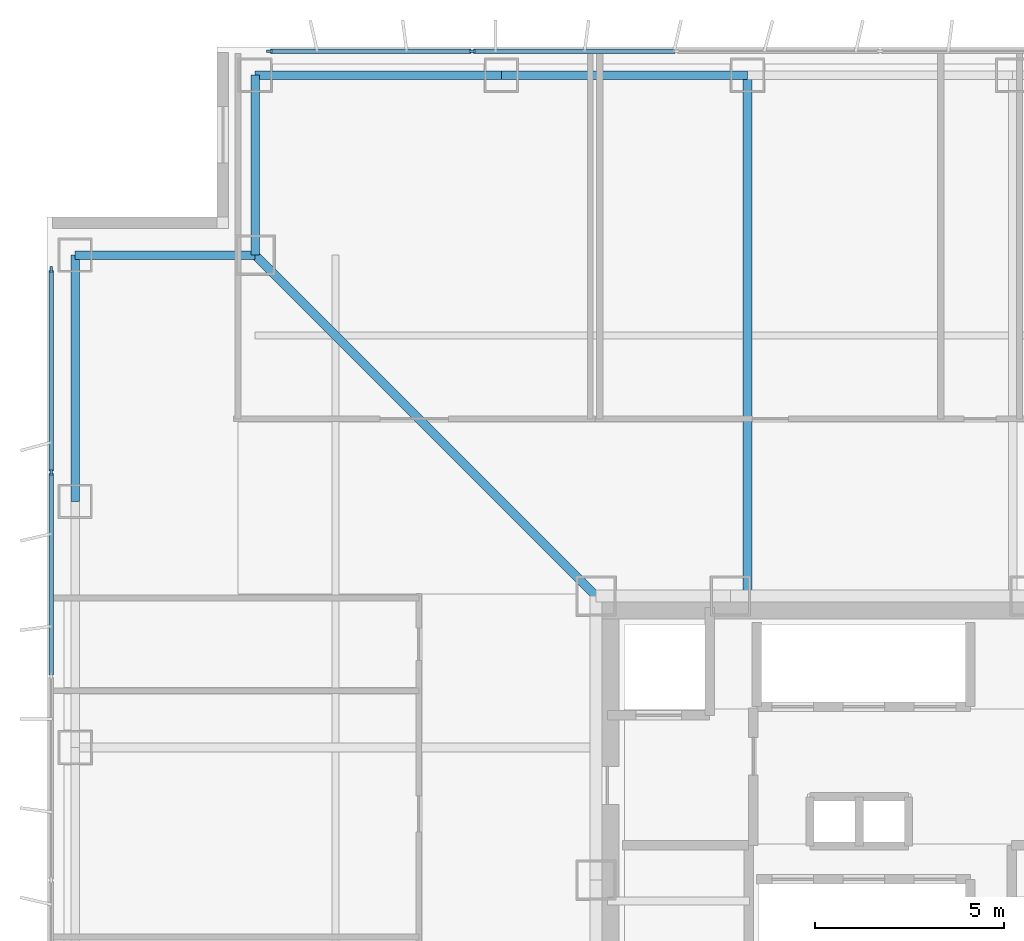
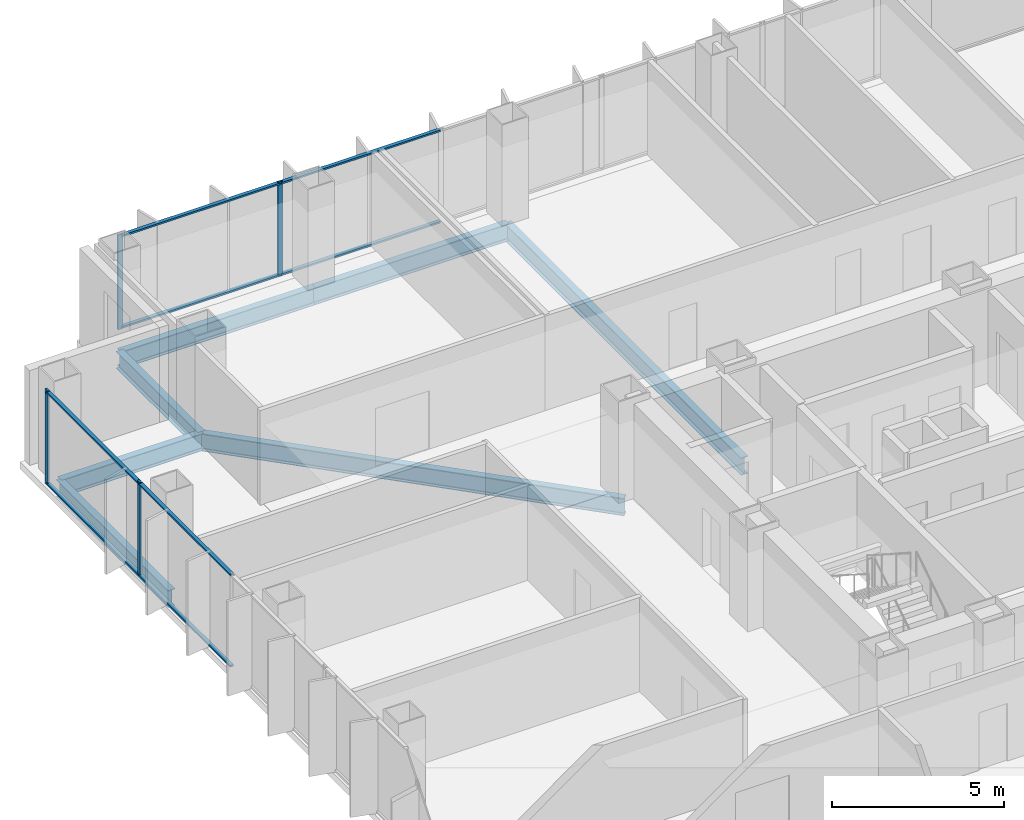
# One storey, part 9 of 18: 12 members, 7 beams, 2 elements without a shape of their own.
"""IFC4 building model written with IfcOpenShell, lengths in metres."""

from ifc_helpers import new_model, si_unit, direction, frame, origin, origin_2d, place, context, subcontext, project, spatial, rectangle, i_section, extrude, material, layer, layer_set, material_profile, profile_set, type_object, element, aggregate, save


model = new_model("IFC4")

# Units and contexts
model_context = context("Model", 3, precision=1e-05, world=origin(), true_north=direction((0.0, 1.0)))
body_context = subcontext(model_context, "Body", "Model", "MODEL_VIEW")
ifc_project = project(units=[si_unit("LENGTHUNIT", "METRE"), si_unit("AREAUNIT", "SQUARE_METRE"), si_unit("VOLUMEUNIT", "CUBIC_METRE"), si_unit("PLANEANGLEUNIT", "RADIAN"), si_unit("MASSUNIT", "GRAM", prefix="KILO")], contexts=[model_context])

# Site, building, storey
site_placement = place(None, origin())
site = spatial("IfcSite", under=ifc_project, at=site_placement, CompositionType="ELEMENT")
building_placement = place(site_placement, origin())
building = spatial("IfcBuilding", under=site, at=building_placement, Name="Trevonay Congress Spire", CompositionType="ELEMENT")
storey_placement = place(building_placement, frame((0.0, 0.0, 104.800048828125)))
storey = spatial("IfcBuildingStorey", under=building, at=storey_placement, Name="L26", CompositionType="ELEMENT", Elevation=104.800048828125)

# Beams
ifc_material_1 = material(Name="Steel ASTM A572 Grade 50", Category="steel")
ifc_material_profile_1 = material_profile(ifc_material_1, i_section(OverallWidth=0.22998046875, OverallDepth=0.616943359375, WebThickness=0.01318359375, FlangeThickness=0.022216796875, FilletRadius=0.01611328125, at=origin_2d()), Name="W610x140")
ifc_profile_set_1 = profile_set([ifc_material_profile_1], Name="Steel ASTM A572 Grade 50")
beam_type_1 = type_object("IfcBeamType", Name="BM-GIRD-W610X140", PredefinedType="BEAM", material=ifc_profile_set_1)
beam_1_placement = place(storey_placement, frame((-7.5, 7.5, -0.548583984375), z_axis=(-0.707106781187, 0.707106781187, 0.0), x_axis=(-0.707106781187, -0.707106781187, 0.0)))
element("IfcBeam", 1, at=beam_1_placement, inside=storey, type_object=beam_type_1, Name="L26 structural beam BM-L26-CDNW", PredefinedType="BEAM", context=body_context, shape_type="SweptSolid", body=[
    extrude(i_section(OverallWidth=0.22998046875, OverallDepth=0.616943359375, WebThickness=0.01318359375, FlangeThickness=0.022216796875, FilletRadius=0.01611328125, at=origin_2d()), origin(), (0.0, 0.0, 1.0), 12.72802734375),
])
beam_2_placement = place(storey_placement, frame((-3.5, 7.5, -0.548583984375), z_axis=(0.0, 1.0, 0.0), x_axis=(-1.0, 0.0, 0.0)))
element("IfcBeam", 2, at=beam_2_placement, inside=storey, type_object=beam_type_1, Name="L26 structural beam BM-L26-GN-M", PredefinedType="BEAM", context=body_context, shape_type="SweptSolid", body=[
    extrude(i_section(OverallWidth=0.22998046875, OverallDepth=0.616943359375, WebThickness=0.01318359375, FlangeThickness=0.022216796875, FilletRadius=0.01611328125, at=origin_2d()), origin(), (0.0, 0.0, 1.0), 13.75),
])
ifc_material_profile_2 = material_profile(ifc_material_1, i_section(OverallWidth=0.22802734375, OverallDepth=0.60791015625, WebThickness=0.01123046875, FlangeThickness=0.017333984375, FilletRadius=0.01611328125, at=origin_2d()), Name="W610x113")
ifc_profile_set_2 = profile_set([ifc_material_profile_2], Name="Steel ASTM A572 Grade 50")
beam_type_2 = type_object("IfcBeamType", Name="BM-RING-W610X113", PredefinedType="BEAM", material=ifc_profile_set_2)
for number, where, z_axis, x_axis, name in (
    (3, (-16.5, 21.25, -0.5439453125), (1.0, 0.0, 0.0), (0.0, 1.0, 0.0), "L26 structural beam BM-L26-PN1"),
    (4, (-10.0, 21.25, -0.5439453125), (1.0, 0.0, 0.0), (0.0, 1.0, 0.0), "L26 structural beam BM-L26-PN2"),
    (5, (-21.25, 10.0, -0.5439453125), (0.0, 1.0, 0.0), (-1.0, 0.0, 0.0), "L26 structural beam BM-L26-PW5"),
):
    element("IfcBeam", number, at=place(storey_placement, frame(where, z_axis=z_axis, x_axis=x_axis)), inside=storey, type_object=beam_type_2, Name=name, PredefinedType="BEAM", context=body_context, shape_type="SweptSolid", body=[
        extrude(i_section(OverallWidth=0.22802734375, OverallDepth=0.60791015625, WebThickness=0.01123046875, FlangeThickness=0.017333984375, FilletRadius=0.01611328125, at=origin_2d()), origin(), (0.0, 0.0, 1.0), 6.5),
    ])
for number, where, z_axis, x_axis, name in (
    (6, (-16.5, 21.25, -0.5439453125), (0.0, -1.0, 0.0), (1.0, 0.0, 0.0), "L26 structural beam BM-L26-N1NW"),
    (7, (-21.25, 16.5, -0.5439453125), (1.0, 0.0, 0.0), (0.0, 1.0, 0.0), "L26 structural beam BM-L26-N2NW"),
):
    element("IfcBeam", number, at=place(storey_placement, frame(where, z_axis=z_axis, x_axis=x_axis)), inside=storey, type_object=beam_type_2, Name=name, PredefinedType="BEAM", context=body_context, shape_type="SweptSolid", body=[
        extrude(i_section(OverallWidth=0.22802734375, OverallDepth=0.60791015625, WebThickness=0.01123046875, FlangeThickness=0.017333984375, FilletRadius=0.01611328125, at=origin_2d()), origin(), (0.0, 0.0, 1.0), 4.75),
    ])

# Curtain wall, members
ifc_material_2 = material(Name="Pale Anodised Aluminium EN AW-6063-T6", Category="aluminium")
ifc_layer = layer(ifc_material_2, 0.175048828125, Name="Pale Anodised Aluminium EN AW-6063-T6")
ifc_layer_set = layer_set([ifc_layer], Name="Pale Anodised Aluminium EN AW-6063-T6")
curtain_wall_type = type_object("IfcCurtainWallType", Name="CW-SYS03-CONGRESS-PALE-METAL", PredefinedType="NOTDEFINED", material=ifc_layer_set)
curtain_wall_1_placement = place(storey_placement, origin())
curtain_wall_1 = element("IfcCurtainWall", 8, at=curtain_wall_1_placement, inside=storey, type_object=curtain_wall_type, Name="L26 N unitised curtain wall", PredefinedType="NOTDEFINED")
ifc_material_profile_3 = material_profile(ifc_material_2, rectangle(XDim=0.06005859375, YDim=0.159912109375, at=origin_2d()), Name="CW-MULLION-160-ALUMINIUM")
ifc_profile_set_3 = profile_set([ifc_material_profile_3], Name="Pale Anodised Aluminium EN AW-6063-T6")
member_type_1 = type_object("IfcMemberType", Name="CW-MULLION-160-ALUMINIUM", PredefinedType="MULLION", material=ifc_profile_set_3)
member_1_placement = place(storey_placement, frame((-16.1201171875, 21.8798828125, 0.0), z_axis=(0.0, 0.0, 1.0), x_axis=(0.0, 1.0, 0.0)))
member_1 = element("IfcMember", 9, at=member_1_placement, type_object=member_type_1, Name="CW03 mullion 1", PredefinedType="MULLION", context=body_context, shape_type="SweptSolid", body=[
    extrude(rectangle(XDim=0.06005859375, YDim=0.159912109375, at=origin_2d()), origin(), (0.0, 0.0, 1.0), 3.35986328125),
])
member_2_placement = place(storey_placement, frame((-10.7666015625, 21.8798828125, 0.0), z_axis=(0.0, 0.0, 1.0), x_axis=(0.0, 1.0, 0.0)))
member_2 = element("IfcMember", 10, at=member_2_placement, type_object=member_type_1, Name="CW03 mullion 2", PredefinedType="MULLION", context=body_context, shape_type="SweptSolid", body=[
    extrude(rectangle(XDim=0.06005859375, YDim=0.159912109375, at=origin_2d()), origin(), (0.0, 0.0, 1.0), 3.35986328125),
])

curtain_wall_2_placement = place(storey_placement, origin())
curtain_wall_2 = element("IfcCurtainWall", 11, at=curtain_wall_2_placement, inside=storey, type_object=curtain_wall_type, Name="L26 W unitised curtain wall", PredefinedType="NOTDEFINED")
member_3_placement = place(storey_placement, frame((-21.8798828125, 10.7666015625, 0.0), z_axis=(0.0, 0.0, 1.0), x_axis=(-1.0, 0.0, 0.0)))
member_3 = element("IfcMember", 12, at=member_3_placement, type_object=member_type_1, Name="CW03 mullion 6", PredefinedType="MULLION", context=body_context, shape_type="SweptSolid", body=[
    extrude(rectangle(XDim=0.06005859375, YDim=0.159912109375, at=origin_2d()), origin(), (0.0, 0.0, 1.0), 3.35986328125),
])
member_4_placement = place(storey_placement, frame((-21.8798828125, 16.1201171875, 0.0), z_axis=(0.0, 0.0, 1.0), x_axis=(-1.0, 0.0, 0.0)))
member_4 = element("IfcMember", 13, at=member_4_placement, type_object=member_type_1, Name="CW03 mullion 7", PredefinedType="MULLION", context=body_context, shape_type="SweptSolid", body=[
    extrude(rectangle(XDim=0.06005859375, YDim=0.159912109375, at=origin_2d()), origin(), (0.0, 0.0, 1.0), 3.35986328125),
])

# Member
ifc_material_profile_4 = material_profile(ifc_material_2, rectangle(XDim=0.1201171875, YDim=0.06005859375, at=origin_2d()), Name="CW-TRANSOM-120-ALUMINIUM")
ifc_profile_set_4 = profile_set([ifc_material_profile_4], Name="Pale Anodised Aluminium EN AW-6063-T6")
member_type_2 = type_object("IfcMemberType", Name="CW-TRANSOM-120-ALUMINIUM", PredefinedType="USERDEFINED", material=ifc_profile_set_4)
member_5_placement = place(storey_placement, frame((-16.090087890625, 21.8798828125, 0.06005859375), z_axis=(1.0, 0.0, 0.0), x_axis=(0.0, 1.0, 0.0)))
member_5 = element("IfcMember", 14, at=member_5_placement, type_object=member_type_2, Name="CW03 transom 1.1", ObjectType="TRANSOM", PredefinedType="USERDEFINED", context=body_context, shape_type="SweptSolid", body=[
    extrude(rectangle(XDim=0.1201171875, YDim=0.06005859375, at=origin_2d()), origin(), (0.0, 0.0, 1.0), 5.29345703125),
])

member_6_placement = place(storey_placement, frame((-16.090087890625, 21.8798828125, 3.300048828125), z_axis=(1.0, 0.0, 0.0), x_axis=(0.0, 1.0, 0.0)))
member_6 = element("IfcMember", 15, at=member_6_placement, type_object=member_type_2, Name="CW03 transom 1.2", ObjectType="TRANSOM", PredefinedType="USERDEFINED", context=body_context, shape_type="SweptSolid", body=[
    extrude(rectangle(XDim=0.1201171875, YDim=0.06005859375, at=origin_2d()), origin(), (0.0, 0.0, 1.0), 5.29345703125),
])

member_7_placement = place(storey_placement, frame((-10.736572265625, 21.8798828125, 0.06005859375), z_axis=(1.0, 0.0, 0.0), x_axis=(0.0, 1.0, 0.0)))
member_7 = element("IfcMember", 16, at=member_7_placement, type_object=member_type_2, Name="CW03 transom 2.1", ObjectType="TRANSOM", PredefinedType="USERDEFINED", context=body_context, shape_type="SweptSolid", body=[
    extrude(rectangle(XDim=0.1201171875, YDim=0.06005859375, at=origin_2d()), origin(), (0.0, 0.0, 1.0), 5.3232421875),
])

member_8_placement = place(storey_placement, frame((-10.736572265625, 21.8798828125, 3.300048828125), z_axis=(1.0, 0.0, 0.0), x_axis=(0.0, 1.0, 0.0)))
member_8 = element("IfcMember", 17, at=member_8_placement, type_object=member_type_2, Name="CW03 transom 2.2", ObjectType="TRANSOM", PredefinedType="USERDEFINED", context=body_context, shape_type="SweptSolid", body=[
    extrude(rectangle(XDim=0.1201171875, YDim=0.06005859375, at=origin_2d()), origin(), (0.0, 0.0, 1.0), 5.3232421875),
])

aggregate(curtain_wall_1, [member_1, member_2, member_5, member_6, member_7, member_8])

member_9_placement = place(storey_placement, frame((-21.8798828125, 5.413330078125, 0.06005859375), z_axis=(0.0, 1.0, 0.0), x_axis=(-1.0, 0.0, 0.0)))
member_9 = element("IfcMember", 18, at=member_9_placement, type_object=member_type_2, Name="CW03 transom 5.1", ObjectType="TRANSOM", PredefinedType="USERDEFINED", context=body_context, shape_type="SweptSolid", body=[
    extrude(rectangle(XDim=0.1201171875, YDim=0.06005859375, at=origin_2d()), origin(), (0.0, 0.0, 1.0), 5.3232421875),
])

member_10_placement = place(storey_placement, frame((-21.8798828125, 5.413330078125, 3.300048828125), z_axis=(0.0, 1.0, 0.0), x_axis=(-1.0, 0.0, 0.0)))
member_10 = element("IfcMember", 19, at=member_10_placement, type_object=member_type_2, Name="CW03 transom 5.2", ObjectType="TRANSOM", PredefinedType="USERDEFINED", context=body_context, shape_type="SweptSolid", body=[
    extrude(rectangle(XDim=0.1201171875, YDim=0.06005859375, at=origin_2d()), origin(), (0.0, 0.0, 1.0), 5.3232421875),
])

member_11_placement = place(storey_placement, frame((-21.8798828125, 10.796630859375, 0.06005859375), z_axis=(0.0, 1.0, 0.0), x_axis=(-1.0, 0.0, 0.0)))
member_11 = element("IfcMember", 20, at=member_11_placement, type_object=member_type_2, Name="CW03 transom 6.1", ObjectType="TRANSOM", PredefinedType="USERDEFINED", context=body_context, shape_type="SweptSolid", body=[
    extrude(rectangle(XDim=0.1201171875, YDim=0.06005859375, at=origin_2d()), origin(), (0.0, 0.0, 1.0), 5.29345703125),
])

member_12_placement = place(storey_placement, frame((-21.8798828125, 10.796630859375, 3.300048828125), z_axis=(0.0, 1.0, 0.0), x_axis=(-1.0, 0.0, 0.0)))
member_12 = element("IfcMember", 21, at=member_12_placement, type_object=member_type_2, Name="CW03 transom 6.2", ObjectType="TRANSOM", PredefinedType="USERDEFINED", context=body_context, shape_type="SweptSolid", body=[
    extrude(rectangle(XDim=0.1201171875, YDim=0.06005859375, at=origin_2d()), origin(), (0.0, 0.0, 1.0), 5.29345703125),
])

aggregate(curtain_wall_2, [member_3, member_4, member_9, member_10, member_11, member_12])

save(model, "model.ifc")
